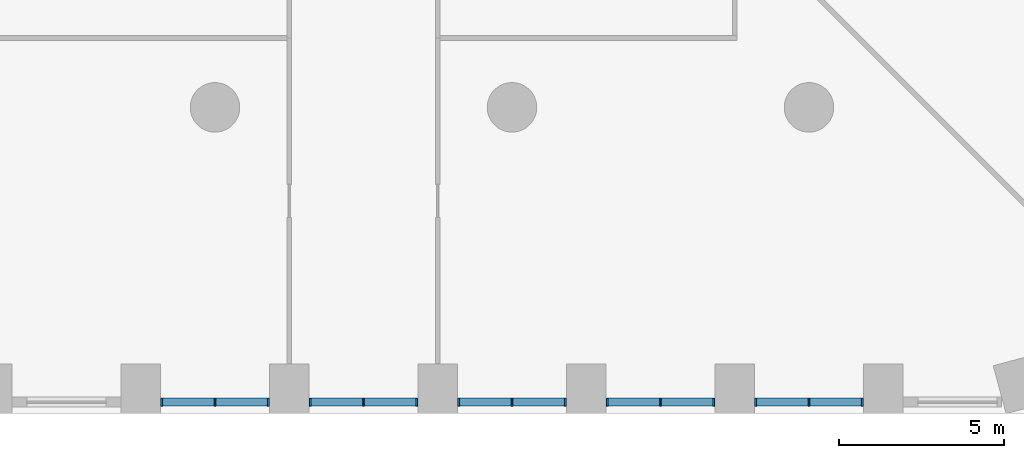
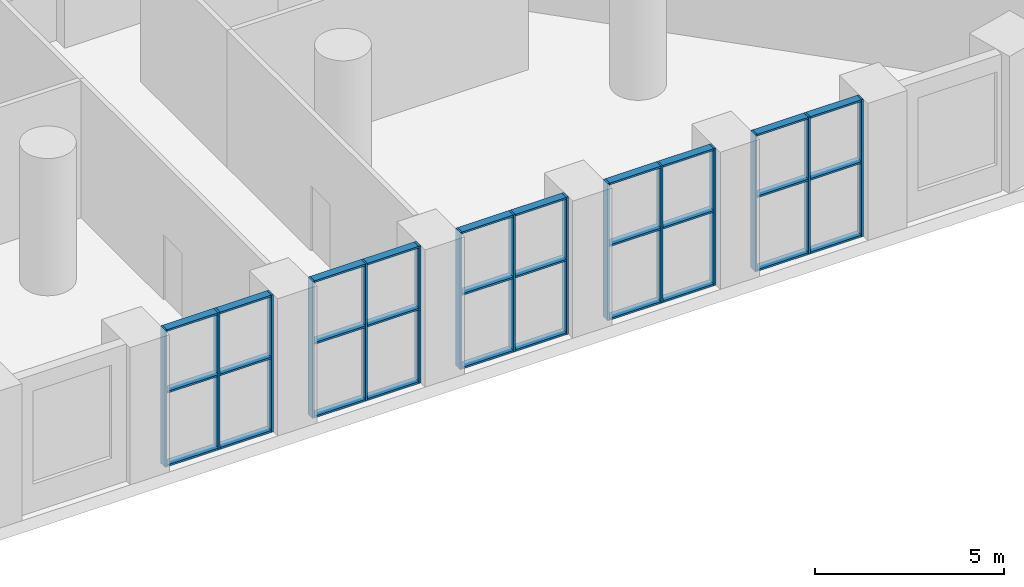
# One storey, part 2 of 13: 45 members, 5 elements without a shape of their own.
"""IFC4 building model written with IfcOpenShell, lengths in metres."""

from ifc_helpers import new_model, si_unit, direction, frame, origin, origin_2d, place, context, subcontext, project, spatial, rectangle, extrude, material, layer, layer_set, material_profile, profile_set, type_object, element, aggregate, save


model = new_model("IFC4")

# Units and contexts
model_context = context("Model", 3, precision=1e-05, world=origin(), true_north=direction((0.0, 1.0)))
body_context = subcontext(model_context, "Body", "Model", "MODEL_VIEW")
ifc_project = project(units=[si_unit("LENGTHUNIT", "METRE"), si_unit("AREAUNIT", "SQUARE_METRE"), si_unit("VOLUMEUNIT", "CUBIC_METRE"), si_unit("PLANEANGLEUNIT", "RADIAN"), si_unit("MASSUNIT", "GRAM", prefix="KILO")], contexts=[model_context])

# Site, building, storey
site_placement = place(None, origin())
site = spatial("IfcSite", under=ifc_project, at=site_placement, CompositionType="ELEMENT")
building_placement = place(site_placement, origin())
building = spatial("IfcBuilding", under=site, at=building_placement, Name="Dhurran Vertical Campus", CompositionType="ELEMENT")
storey_placement = place(building_placement, frame((0.0, 0.0, 25.199951171875)))
storey = spatial("IfcBuildingStorey", under=building, at=storey_placement, Name="L05", CompositionType="ELEMENT", Elevation=25.199951171875)

# Curtain wall, members
ifc_material_1 = material(Name="Aluminium frame with solar-control glass", Category="aluminium")
ifc_layer = layer(ifc_material_1, 0.25)
ifc_layer_set = layer_set([ifc_layer], Name="Aluminium frame with solar-control glass")
curtain_wall_type = type_object("IfcCurtainWallType", Name="Library atrium glazing system", PredefinedType="NOTDEFINED", material=ifc_layer_set)
curtain_wall_1_placement = place(storey_placement, origin())
curtain_wall_1 = element("IfcCurtainWall", 1, at=curtain_wall_1_placement, inside=storey, type_object=curtain_wall_type, Name="CW2 L05.03", PredefinedType="NOTDEFINED")
ifc_material_2 = material(Name="Aluminium mullion", Category="aluminium")
ifc_material_profile_1 = material_profile(ifc_material_2, rectangle(XDim=0.239990234375, YDim=0.06005859375, at=origin_2d()), Name="Library atrium glazing system mullion")
ifc_profile_set_1 = profile_set([ifc_material_profile_1], Name="Aluminium mullion")
member_type_1 = type_object("IfcMemberType", Name="Library atrium glazing system mullion", PredefinedType="MULLION", material=ifc_profile_set_1)
member_1_placement = place(storey_placement, frame((-6.119384765625, -31.4296875, 0.0), z_axis=(0.0, 0.0, 1.0), x_axis=(0.0, 1.0, 0.0)))
member_1 = element("IfcMember", 2, at=member_1_placement, type_object=member_type_1, Name="CW2 mullion 1", PredefinedType="MULLION", context=body_context, shape_type="SweptSolid", body=[
    extrude(rectangle(XDim=0.239990234375, YDim=0.06005859375, at=origin_2d()), origin(), (0.0, 0.0, 1.0), 4.425048828125),
])
member_2_placement = place(storey_placement, frame((-4.5, -31.4296875, 0.0), z_axis=(0.0, 0.0, 1.0), x_axis=(0.0, 1.0, 0.0)))
member_2 = element("IfcMember", 3, at=member_2_placement, type_object=member_type_1, Name="CW2 mullion 2", PredefinedType="MULLION", context=body_context, shape_type="SweptSolid", body=[
    extrude(rectangle(XDim=0.239990234375, YDim=0.06005859375, at=origin_2d()), origin(), (0.0, 0.0, 1.0), 4.425048828125),
])
member_3_placement = place(storey_placement, frame((-2.880615234375, -31.4296875, 0.0), z_axis=(0.0, 0.0, 1.0), x_axis=(0.0, 1.0, 0.0)))
member_3 = element("IfcMember", 4, at=member_3_placement, type_object=member_type_1, Name="CW2 mullion 3", PredefinedType="MULLION", context=body_context, shape_type="SweptSolid", body=[
    extrude(rectangle(XDim=0.239990234375, YDim=0.06005859375, at=origin_2d()), origin(), (0.0, 0.0, 1.0), 4.425048828125),
])

curtain_wall_2_placement = place(storey_placement, origin())
curtain_wall_2 = element("IfcCurtainWall", 5, at=curtain_wall_2_placement, inside=storey, type_object=curtain_wall_type, Name="CW2 L05.04", PredefinedType="NOTDEFINED")
member_4_placement = place(storey_placement, frame((-1.619384765625, -31.4296875, 0.0), z_axis=(0.0, 0.0, 1.0), x_axis=(0.0, 1.0, 0.0)))
member_4 = element("IfcMember", 6, at=member_4_placement, type_object=member_type_1, Name="CW2 mullion 1", PredefinedType="MULLION", context=body_context, shape_type="SweptSolid", body=[
    extrude(rectangle(XDim=0.239990234375, YDim=0.06005859375, at=origin_2d()), origin(), (0.0, 0.0, 1.0), 4.425048828125),
])
member_5_placement = place(storey_placement, frame((0.0, -31.4296875, 0.0), z_axis=(0.0, 0.0, 1.0), x_axis=(0.0, 1.0, 0.0)))
member_5 = element("IfcMember", 7, at=member_5_placement, type_object=member_type_1, Name="CW2 mullion 2", PredefinedType="MULLION", context=body_context, shape_type="SweptSolid", body=[
    extrude(rectangle(XDim=0.239990234375, YDim=0.06005859375, at=origin_2d()), origin(), (0.0, 0.0, 1.0), 4.425048828125),
])
member_6_placement = place(storey_placement, frame((1.619384765625, -31.4296875, 0.0), z_axis=(0.0, 0.0, 1.0), x_axis=(0.0, 1.0, 0.0)))
member_6 = element("IfcMember", 8, at=member_6_placement, type_object=member_type_1, Name="CW2 mullion 3", PredefinedType="MULLION", context=body_context, shape_type="SweptSolid", body=[
    extrude(rectangle(XDim=0.239990234375, YDim=0.06005859375, at=origin_2d()), origin(), (0.0, 0.0, 1.0), 4.425048828125),
])

curtain_wall_3_placement = place(storey_placement, origin())
curtain_wall_3 = element("IfcCurtainWall", 9, at=curtain_wall_3_placement, inside=storey, type_object=curtain_wall_type, Name="CW2 L05.05", PredefinedType="NOTDEFINED")
member_7_placement = place(storey_placement, frame((2.880615234375, -31.4296875, 0.0), z_axis=(0.0, 0.0, 1.0), x_axis=(0.0, 1.0, 0.0)))
member_7 = element("IfcMember", 10, at=member_7_placement, type_object=member_type_1, Name="CW2 mullion 1", PredefinedType="MULLION", context=body_context, shape_type="SweptSolid", body=[
    extrude(rectangle(XDim=0.239990234375, YDim=0.06005859375, at=origin_2d()), origin(), (0.0, 0.0, 1.0), 4.425048828125),
])
member_8_placement = place(storey_placement, frame((4.5, -31.4296875, 0.0), z_axis=(0.0, 0.0, 1.0), x_axis=(0.0, 1.0, 0.0)))
member_8 = element("IfcMember", 11, at=member_8_placement, type_object=member_type_1, Name="CW2 mullion 2", PredefinedType="MULLION", context=body_context, shape_type="SweptSolid", body=[
    extrude(rectangle(XDim=0.239990234375, YDim=0.06005859375, at=origin_2d()), origin(), (0.0, 0.0, 1.0), 4.425048828125),
])
member_9_placement = place(storey_placement, frame((6.119384765625, -31.4296875, 0.0), z_axis=(0.0, 0.0, 1.0), x_axis=(0.0, 1.0, 0.0)))
member_9 = element("IfcMember", 12, at=member_9_placement, type_object=member_type_1, Name="CW2 mullion 3", PredefinedType="MULLION", context=body_context, shape_type="SweptSolid", body=[
    extrude(rectangle(XDim=0.239990234375, YDim=0.06005859375, at=origin_2d()), origin(), (0.0, 0.0, 1.0), 4.425048828125),
])

curtain_wall_4_placement = place(storey_placement, origin())
curtain_wall_4 = element("IfcCurtainWall", 13, at=curtain_wall_4_placement, inside=storey, type_object=curtain_wall_type, Name="CW2 L05.06", PredefinedType="NOTDEFINED")
member_10_placement = place(storey_placement, frame((7.380615234375, -31.4296875, 0.0), z_axis=(0.0, 0.0, 1.0), x_axis=(0.0, 1.0, 0.0)))
member_10 = element("IfcMember", 14, at=member_10_placement, type_object=member_type_1, Name="CW2 mullion 1", PredefinedType="MULLION", context=body_context, shape_type="SweptSolid", body=[
    extrude(rectangle(XDim=0.239990234375, YDim=0.06005859375, at=origin_2d()), origin(), (0.0, 0.0, 1.0), 4.425048828125),
])
member_11_placement = place(storey_placement, frame((9.0, -31.4296875, 0.0), z_axis=(0.0, 0.0, 1.0), x_axis=(0.0, 1.0, 0.0)))
member_11 = element("IfcMember", 15, at=member_11_placement, type_object=member_type_1, Name="CW2 mullion 2", PredefinedType="MULLION", context=body_context, shape_type="SweptSolid", body=[
    extrude(rectangle(XDim=0.239990234375, YDim=0.06005859375, at=origin_2d()), origin(), (0.0, 0.0, 1.0), 4.425048828125),
])
member_12_placement = place(storey_placement, frame((10.619384765625, -31.4296875, 0.0), z_axis=(0.0, 0.0, 1.0), x_axis=(0.0, 1.0, 0.0)))
member_12 = element("IfcMember", 16, at=member_12_placement, type_object=member_type_1, Name="CW2 mullion 3", PredefinedType="MULLION", context=body_context, shape_type="SweptSolid", body=[
    extrude(rectangle(XDim=0.239990234375, YDim=0.06005859375, at=origin_2d()), origin(), (0.0, 0.0, 1.0), 4.425048828125),
])

curtain_wall_5_placement = place(storey_placement, origin())
curtain_wall_5 = element("IfcCurtainWall", 17, at=curtain_wall_5_placement, inside=storey, type_object=curtain_wall_type, Name="CW2 L05.07", PredefinedType="NOTDEFINED")
member_13_placement = place(storey_placement, frame((11.880615234375, -31.4296875, 0.0), z_axis=(0.0, 0.0, 1.0), x_axis=(0.0, 1.0, 0.0)))
member_13 = element("IfcMember", 18, at=member_13_placement, type_object=member_type_1, Name="CW2 mullion 1", PredefinedType="MULLION", context=body_context, shape_type="SweptSolid", body=[
    extrude(rectangle(XDim=0.239990234375, YDim=0.06005859375, at=origin_2d()), origin(), (0.0, 0.0, 1.0), 4.425048828125),
])
member_14_placement = place(storey_placement, frame((13.5, -31.4296875, 0.0), z_axis=(0.0, 0.0, 1.0), x_axis=(0.0, 1.0, 0.0)))
member_14 = element("IfcMember", 19, at=member_14_placement, type_object=member_type_1, Name="CW2 mullion 2", PredefinedType="MULLION", context=body_context, shape_type="SweptSolid", body=[
    extrude(rectangle(XDim=0.239990234375, YDim=0.06005859375, at=origin_2d()), origin(), (0.0, 0.0, 1.0), 4.425048828125),
])
member_15_placement = place(storey_placement, frame((15.119384765625, -31.4296875, 0.0), z_axis=(0.0, 0.0, 1.0), x_axis=(0.0, 1.0, 0.0)))
member_15 = element("IfcMember", 20, at=member_15_placement, type_object=member_type_1, Name="CW2 mullion 3", PredefinedType="MULLION", context=body_context, shape_type="SweptSolid", body=[
    extrude(rectangle(XDim=0.239990234375, YDim=0.06005859375, at=origin_2d()), origin(), (0.0, 0.0, 1.0), 4.425048828125),
])

# Member
ifc_material_3 = material(Name="Aluminium transom", Category="aluminium")
ifc_material_profile_2 = material_profile(ifc_material_3, rectangle(XDim=0.239990234375, YDim=0.06005859375, at=origin_2d()), Name="Library atrium glazing system transom")
ifc_profile_set_2 = profile_set([ifc_material_profile_2], Name="Aluminium transom")
member_type_2 = type_object("IfcMemberType", Name="Library atrium glazing system transom", PredefinedType="USERDEFINED", material=ifc_profile_set_2)
member_16_placement = place(storey_placement, frame((-6.089599609375, -31.4296875, 0.030029296875), z_axis=(1.0, 0.0, 0.0), x_axis=(0.0, 1.0, 0.0)))
member_16 = element("IfcMember", 21, at=member_16_placement, type_object=member_type_2, Name="CW2 transom 1.1", ObjectType="TRANSOM", PredefinedType="USERDEFINED", context=body_context, shape_type="SweptSolid", body=[
    extrude(rectangle(XDim=0.239990234375, YDim=0.06005859375, at=origin_2d()), origin(), (0.0, 0.0, 1.0), 1.5595703125),
])

member_17_placement = place(storey_placement, frame((-6.089599609375, -31.4296875, 2.400146484375), z_axis=(1.0, 0.0, 0.0), x_axis=(0.0, 1.0, 0.0)))
member_17 = element("IfcMember", 22, at=member_17_placement, type_object=member_type_2, Name="CW2 transom 1.2", ObjectType="TRANSOM", PredefinedType="USERDEFINED", context=body_context, shape_type="SweptSolid", body=[
    extrude(rectangle(XDim=0.239990234375, YDim=0.06005859375, at=origin_2d()), origin(), (0.0, 0.0, 1.0), 1.5595703125),
])

member_18_placement = place(storey_placement, frame((-6.089599609375, -31.4296875, 4.39501953125), z_axis=(1.0, 0.0, 0.0), x_axis=(0.0, 1.0, 0.0)))
member_18 = element("IfcMember", 23, at=member_18_placement, type_object=member_type_2, Name="CW2 transom 1.3", ObjectType="TRANSOM", PredefinedType="USERDEFINED", context=body_context, shape_type="SweptSolid", body=[
    extrude(rectangle(XDim=0.239990234375, YDim=0.06005859375, at=origin_2d()), origin(), (0.0, 0.0, 1.0), 1.5595703125),
])

member_19_placement = place(storey_placement, frame((-4.469970703125, -31.4296875, 0.030029296875), z_axis=(1.0, 0.0, 0.0), x_axis=(0.0, 1.0, 0.0)))
member_19 = element("IfcMember", 24, at=member_19_placement, type_object=member_type_2, Name="CW2 transom 2.1", ObjectType="TRANSOM", PredefinedType="USERDEFINED", context=body_context, shape_type="SweptSolid", body=[
    extrude(rectangle(XDim=0.239990234375, YDim=0.06005859375, at=origin_2d()), origin(), (0.0, 0.0, 1.0), 1.5595703125),
])

member_20_placement = place(storey_placement, frame((-4.469970703125, -31.4296875, 2.400146484375), z_axis=(1.0, 0.0, 0.0), x_axis=(0.0, 1.0, 0.0)))
member_20 = element("IfcMember", 25, at=member_20_placement, type_object=member_type_2, Name="CW2 transom 2.2", ObjectType="TRANSOM", PredefinedType="USERDEFINED", context=body_context, shape_type="SweptSolid", body=[
    extrude(rectangle(XDim=0.239990234375, YDim=0.06005859375, at=origin_2d()), origin(), (0.0, 0.0, 1.0), 1.5595703125),
])

member_21_placement = place(storey_placement, frame((-4.469970703125, -31.4296875, 4.39501953125), z_axis=(1.0, 0.0, 0.0), x_axis=(0.0, 1.0, 0.0)))
member_21 = element("IfcMember", 26, at=member_21_placement, type_object=member_type_2, Name="CW2 transom 2.3", ObjectType="TRANSOM", PredefinedType="USERDEFINED", context=body_context, shape_type="SweptSolid", body=[
    extrude(rectangle(XDim=0.239990234375, YDim=0.06005859375, at=origin_2d()), origin(), (0.0, 0.0, 1.0), 1.5595703125),
])

aggregate(curtain_wall_1, [member_1, member_2, member_3, member_16, member_17, member_18, member_19, member_20, member_21])

member_22_placement = place(storey_placement, frame((-1.589599609375, -31.4296875, 0.030029296875), z_axis=(1.0, 0.0, 0.0), x_axis=(0.0, 1.0, 0.0)))
member_22 = element("IfcMember", 27, at=member_22_placement, type_object=member_type_2, Name="CW2 transom 1.1", ObjectType="TRANSOM", PredefinedType="USERDEFINED", context=body_context, shape_type="SweptSolid", body=[
    extrude(rectangle(XDim=0.239990234375, YDim=0.06005859375, at=origin_2d()), origin(), (0.0, 0.0, 1.0), 1.5595703125),
])

member_23_placement = place(storey_placement, frame((-1.589599609375, -31.4296875, 2.400146484375), z_axis=(1.0, 0.0, 0.0), x_axis=(0.0, 1.0, 0.0)))
member_23 = element("IfcMember", 28, at=member_23_placement, type_object=member_type_2, Name="CW2 transom 1.2", ObjectType="TRANSOM", PredefinedType="USERDEFINED", context=body_context, shape_type="SweptSolid", body=[
    extrude(rectangle(XDim=0.239990234375, YDim=0.06005859375, at=origin_2d()), origin(), (0.0, 0.0, 1.0), 1.5595703125),
])

member_24_placement = place(storey_placement, frame((-1.589599609375, -31.4296875, 4.39501953125), z_axis=(1.0, 0.0, 0.0), x_axis=(0.0, 1.0, 0.0)))
member_24 = element("IfcMember", 29, at=member_24_placement, type_object=member_type_2, Name="CW2 transom 1.3", ObjectType="TRANSOM", PredefinedType="USERDEFINED", context=body_context, shape_type="SweptSolid", body=[
    extrude(rectangle(XDim=0.239990234375, YDim=0.06005859375, at=origin_2d()), origin(), (0.0, 0.0, 1.0), 1.5595703125),
])

member_25_placement = place(storey_placement, frame((0.030029296875, -31.4296875, 0.030029296875), z_axis=(1.0, 0.0, 0.0), x_axis=(0.0, 1.0, 0.0)))
member_25 = element("IfcMember", 30, at=member_25_placement, type_object=member_type_2, Name="CW2 transom 2.1", ObjectType="TRANSOM", PredefinedType="USERDEFINED", context=body_context, shape_type="SweptSolid", body=[
    extrude(rectangle(XDim=0.239990234375, YDim=0.06005859375, at=origin_2d()), origin(), (0.0, 0.0, 1.0), 1.5595703125),
])

member_26_placement = place(storey_placement, frame((0.030029296875, -31.4296875, 2.400146484375), z_axis=(1.0, 0.0, 0.0), x_axis=(0.0, 1.0, 0.0)))
member_26 = element("IfcMember", 31, at=member_26_placement, type_object=member_type_2, Name="CW2 transom 2.2", ObjectType="TRANSOM", PredefinedType="USERDEFINED", context=body_context, shape_type="SweptSolid", body=[
    extrude(rectangle(XDim=0.239990234375, YDim=0.06005859375, at=origin_2d()), origin(), (0.0, 0.0, 1.0), 1.5595703125),
])

member_27_placement = place(storey_placement, frame((0.030029296875, -31.4296875, 4.39501953125), z_axis=(1.0, 0.0, 0.0), x_axis=(0.0, 1.0, 0.0)))
member_27 = element("IfcMember", 32, at=member_27_placement, type_object=member_type_2, Name="CW2 transom 2.3", ObjectType="TRANSOM", PredefinedType="USERDEFINED", context=body_context, shape_type="SweptSolid", body=[
    extrude(rectangle(XDim=0.239990234375, YDim=0.06005859375, at=origin_2d()), origin(), (0.0, 0.0, 1.0), 1.5595703125),
])

aggregate(curtain_wall_2, [member_4, member_5, member_6, member_22, member_23, member_24, member_25, member_26, member_27])

member_28_placement = place(storey_placement, frame((2.910400390625, -31.4296875, 0.030029296875), z_axis=(1.0, 0.0, 0.0), x_axis=(0.0, 1.0, 0.0)))
member_28 = element("IfcMember", 33, at=member_28_placement, type_object=member_type_2, Name="CW2 transom 1.1", ObjectType="TRANSOM", PredefinedType="USERDEFINED", context=body_context, shape_type="SweptSolid", body=[
    extrude(rectangle(XDim=0.239990234375, YDim=0.06005859375, at=origin_2d()), origin(), (0.0, 0.0, 1.0), 1.5595703125),
])

member_29_placement = place(storey_placement, frame((2.910400390625, -31.4296875, 2.400146484375), z_axis=(1.0, 0.0, 0.0), x_axis=(0.0, 1.0, 0.0)))
member_29 = element("IfcMember", 34, at=member_29_placement, type_object=member_type_2, Name="CW2 transom 1.2", ObjectType="TRANSOM", PredefinedType="USERDEFINED", context=body_context, shape_type="SweptSolid", body=[
    extrude(rectangle(XDim=0.239990234375, YDim=0.06005859375, at=origin_2d()), origin(), (0.0, 0.0, 1.0), 1.5595703125),
])

member_30_placement = place(storey_placement, frame((2.910400390625, -31.4296875, 4.39501953125), z_axis=(1.0, 0.0, 0.0), x_axis=(0.0, 1.0, 0.0)))
member_30 = element("IfcMember", 35, at=member_30_placement, type_object=member_type_2, Name="CW2 transom 1.3", ObjectType="TRANSOM", PredefinedType="USERDEFINED", context=body_context, shape_type="SweptSolid", body=[
    extrude(rectangle(XDim=0.239990234375, YDim=0.06005859375, at=origin_2d()), origin(), (0.0, 0.0, 1.0), 1.5595703125),
])

member_31_placement = place(storey_placement, frame((4.530029296875, -31.4296875, 0.030029296875), z_axis=(1.0, 0.0, 0.0), x_axis=(0.0, 1.0, 0.0)))
member_31 = element("IfcMember", 36, at=member_31_placement, type_object=member_type_2, Name="CW2 transom 2.1", ObjectType="TRANSOM", PredefinedType="USERDEFINED", context=body_context, shape_type="SweptSolid", body=[
    extrude(rectangle(XDim=0.239990234375, YDim=0.06005859375, at=origin_2d()), origin(), (0.0, 0.0, 1.0), 1.5595703125),
])

member_32_placement = place(storey_placement, frame((4.530029296875, -31.4296875, 2.400146484375), z_axis=(1.0, 0.0, 0.0), x_axis=(0.0, 1.0, 0.0)))
member_32 = element("IfcMember", 37, at=member_32_placement, type_object=member_type_2, Name="CW2 transom 2.2", ObjectType="TRANSOM", PredefinedType="USERDEFINED", context=body_context, shape_type="SweptSolid", body=[
    extrude(rectangle(XDim=0.239990234375, YDim=0.06005859375, at=origin_2d()), origin(), (0.0, 0.0, 1.0), 1.5595703125),
])

member_33_placement = place(storey_placement, frame((4.530029296875, -31.4296875, 4.39501953125), z_axis=(1.0, 0.0, 0.0), x_axis=(0.0, 1.0, 0.0)))
member_33 = element("IfcMember", 38, at=member_33_placement, type_object=member_type_2, Name="CW2 transom 2.3", ObjectType="TRANSOM", PredefinedType="USERDEFINED", context=body_context, shape_type="SweptSolid", body=[
    extrude(rectangle(XDim=0.239990234375, YDim=0.06005859375, at=origin_2d()), origin(), (0.0, 0.0, 1.0), 1.5595703125),
])

aggregate(curtain_wall_3, [member_7, member_8, member_9, member_28, member_29, member_30, member_31, member_32, member_33])

member_34_placement = place(storey_placement, frame((7.410400390625, -31.4296875, 0.030029296875), z_axis=(1.0, 0.0, 0.0), x_axis=(0.0, 1.0, 0.0)))
member_34 = element("IfcMember", 39, at=member_34_placement, type_object=member_type_2, Name="CW2 transom 1.1", ObjectType="TRANSOM", PredefinedType="USERDEFINED", context=body_context, shape_type="SweptSolid", body=[
    extrude(rectangle(XDim=0.239990234375, YDim=0.06005859375, at=origin_2d()), origin(), (0.0, 0.0, 1.0), 1.5595703125),
])

member_35_placement = place(storey_placement, frame((7.410400390625, -31.4296875, 2.400146484375), z_axis=(1.0, 0.0, 0.0), x_axis=(0.0, 1.0, 0.0)))
member_35 = element("IfcMember", 40, at=member_35_placement, type_object=member_type_2, Name="CW2 transom 1.2", ObjectType="TRANSOM", PredefinedType="USERDEFINED", context=body_context, shape_type="SweptSolid", body=[
    extrude(rectangle(XDim=0.239990234375, YDim=0.06005859375, at=origin_2d()), origin(), (0.0, 0.0, 1.0), 1.5595703125),
])

member_36_placement = place(storey_placement, frame((7.410400390625, -31.4296875, 4.39501953125), z_axis=(1.0, 0.0, 0.0), x_axis=(0.0, 1.0, 0.0)))
member_36 = element("IfcMember", 41, at=member_36_placement, type_object=member_type_2, Name="CW2 transom 1.3", ObjectType="TRANSOM", PredefinedType="USERDEFINED", context=body_context, shape_type="SweptSolid", body=[
    extrude(rectangle(XDim=0.239990234375, YDim=0.06005859375, at=origin_2d()), origin(), (0.0, 0.0, 1.0), 1.5595703125),
])

member_37_placement = place(storey_placement, frame((9.030029296875, -31.4296875, 0.030029296875), z_axis=(1.0, 0.0, 0.0), x_axis=(0.0, 1.0, 0.0)))
member_37 = element("IfcMember", 42, at=member_37_placement, type_object=member_type_2, Name="CW2 transom 2.1", ObjectType="TRANSOM", PredefinedType="USERDEFINED", context=body_context, shape_type="SweptSolid", body=[
    extrude(rectangle(XDim=0.239990234375, YDim=0.06005859375, at=origin_2d()), origin(), (0.0, 0.0, 1.0), 1.5595703125),
])

member_38_placement = place(storey_placement, frame((9.030029296875, -31.4296875, 2.400146484375), z_axis=(1.0, 0.0, 0.0), x_axis=(0.0, 1.0, 0.0)))
member_38 = element("IfcMember", 43, at=member_38_placement, type_object=member_type_2, Name="CW2 transom 2.2", ObjectType="TRANSOM", PredefinedType="USERDEFINED", context=body_context, shape_type="SweptSolid", body=[
    extrude(rectangle(XDim=0.239990234375, YDim=0.06005859375, at=origin_2d()), origin(), (0.0, 0.0, 1.0), 1.5595703125),
])

member_39_placement = place(storey_placement, frame((9.030029296875, -31.4296875, 4.39501953125), z_axis=(1.0, 0.0, 0.0), x_axis=(0.0, 1.0, 0.0)))
member_39 = element("IfcMember", 44, at=member_39_placement, type_object=member_type_2, Name="CW2 transom 2.3", ObjectType="TRANSOM", PredefinedType="USERDEFINED", context=body_context, shape_type="SweptSolid", body=[
    extrude(rectangle(XDim=0.239990234375, YDim=0.06005859375, at=origin_2d()), origin(), (0.0, 0.0, 1.0), 1.5595703125),
])

aggregate(curtain_wall_4, [member_10, member_11, member_12, member_34, member_35, member_36, member_37, member_38, member_39])

member_40_placement = place(storey_placement, frame((11.910400390625, -31.4296875, 0.030029296875), z_axis=(1.0, 0.0, 0.0), x_axis=(0.0, 1.0, 0.0)))
member_40 = element("IfcMember", 45, at=member_40_placement, type_object=member_type_2, Name="CW2 transom 1.1", ObjectType="TRANSOM", PredefinedType="USERDEFINED", context=body_context, shape_type="SweptSolid", body=[
    extrude(rectangle(XDim=0.239990234375, YDim=0.06005859375, at=origin_2d()), origin(), (0.0, 0.0, 1.0), 1.5595703125),
])

member_41_placement = place(storey_placement, frame((11.910400390625, -31.4296875, 2.400146484375), z_axis=(1.0, 0.0, 0.0), x_axis=(0.0, 1.0, 0.0)))
member_41 = element("IfcMember", 46, at=member_41_placement, type_object=member_type_2, Name="CW2 transom 1.2", ObjectType="TRANSOM", PredefinedType="USERDEFINED", context=body_context, shape_type="SweptSolid", body=[
    extrude(rectangle(XDim=0.239990234375, YDim=0.06005859375, at=origin_2d()), origin(), (0.0, 0.0, 1.0), 1.5595703125),
])

member_42_placement = place(storey_placement, frame((11.910400390625, -31.4296875, 4.39501953125), z_axis=(1.0, 0.0, 0.0), x_axis=(0.0, 1.0, 0.0)))
member_42 = element("IfcMember", 47, at=member_42_placement, type_object=member_type_2, Name="CW2 transom 1.3", ObjectType="TRANSOM", PredefinedType="USERDEFINED", context=body_context, shape_type="SweptSolid", body=[
    extrude(rectangle(XDim=0.239990234375, YDim=0.06005859375, at=origin_2d()), origin(), (0.0, 0.0, 1.0), 1.5595703125),
])

member_43_placement = place(storey_placement, frame((13.530029296875, -31.4296875, 0.030029296875), z_axis=(1.0, 0.0, 0.0), x_axis=(0.0, 1.0, 0.0)))
member_43 = element("IfcMember", 48, at=member_43_placement, type_object=member_type_2, Name="CW2 transom 2.1", ObjectType="TRANSOM", PredefinedType="USERDEFINED", context=body_context, shape_type="SweptSolid", body=[
    extrude(rectangle(XDim=0.239990234375, YDim=0.06005859375, at=origin_2d()), origin(), (0.0, 0.0, 1.0), 1.5595703125),
])

member_44_placement = place(storey_placement, frame((13.530029296875, -31.4296875, 2.400146484375), z_axis=(1.0, 0.0, 0.0), x_axis=(0.0, 1.0, 0.0)))
member_44 = element("IfcMember", 49, at=member_44_placement, type_object=member_type_2, Name="CW2 transom 2.2", ObjectType="TRANSOM", PredefinedType="USERDEFINED", context=body_context, shape_type="SweptSolid", body=[
    extrude(rectangle(XDim=0.239990234375, YDim=0.06005859375, at=origin_2d()), origin(), (0.0, 0.0, 1.0), 1.5595703125),
])

member_45_placement = place(storey_placement, frame((13.530029296875, -31.4296875, 4.39501953125), z_axis=(1.0, 0.0, 0.0), x_axis=(0.0, 1.0, 0.0)))
member_45 = element("IfcMember", 50, at=member_45_placement, type_object=member_type_2, Name="CW2 transom 2.3", ObjectType="TRANSOM", PredefinedType="USERDEFINED", context=body_context, shape_type="SweptSolid", body=[
    extrude(rectangle(XDim=0.239990234375, YDim=0.06005859375, at=origin_2d()), origin(), (0.0, 0.0, 1.0), 1.5595703125),
])

aggregate(curtain_wall_5, [member_13, member_14, member_15, member_40, member_41, member_42, member_43, member_44, member_45])

save(model, "model.ifc")
